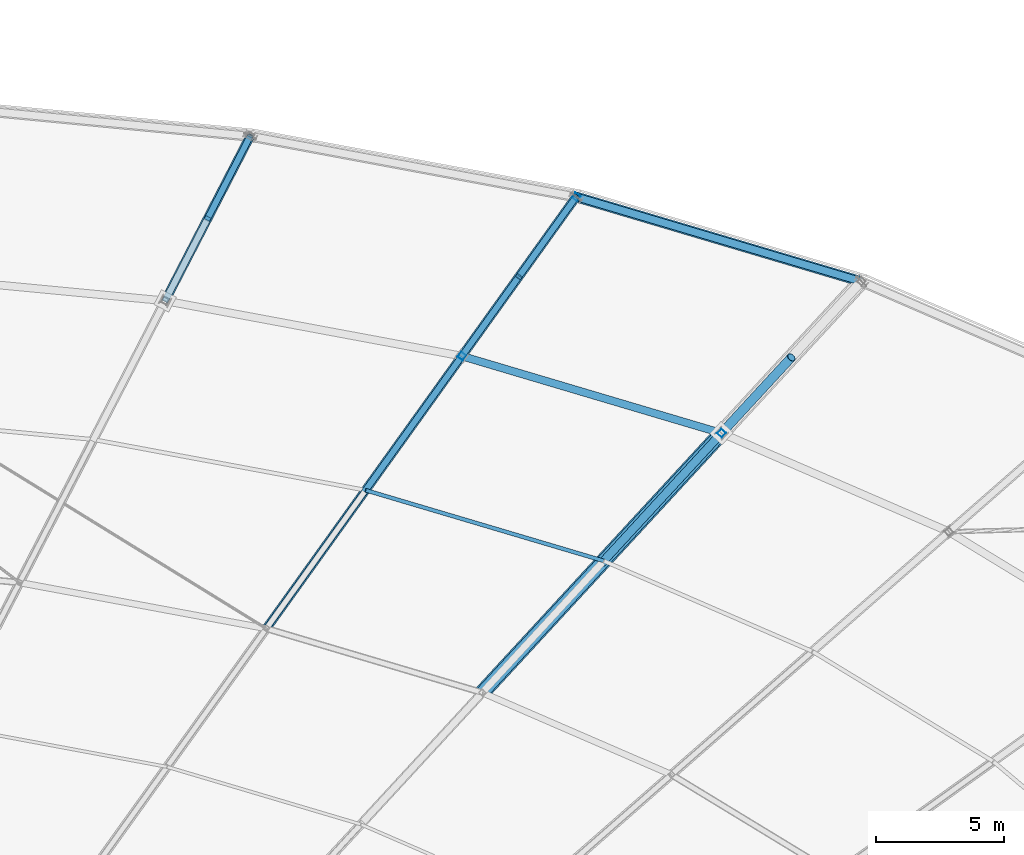
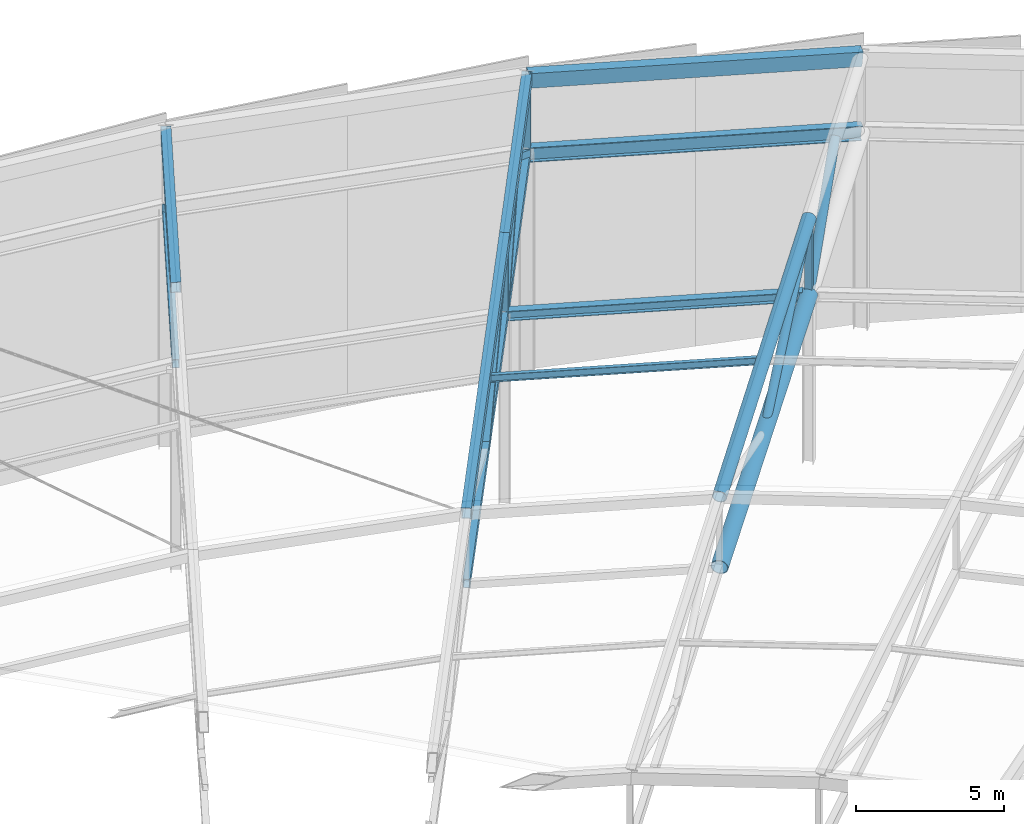
# One storey, part 101 of 143: 11 beams, 10 members.
"""IFC4 building model written with IfcOpenShell, lengths in metres."""

from ifc_helpers import new_model, si_unit, direction, frame, origin, origin_2d, place, context, subcontext, project, spatial, hollow_rectangle, hollow_circle, i_section, extrude, material, material_profile, profile_set, type_object, element, save


model = new_model("IFC4")

# Units and contexts
model_context = context("Model", 3, precision=1e-05, world=origin(), true_north=direction((0.0, 1.0)))
body_context = subcontext(model_context, "Body", "Model", "MODEL_VIEW")
ifc_project = project(units=[si_unit("LENGTHUNIT", "METRE"), si_unit("AREAUNIT", "SQUARE_METRE"), si_unit("VOLUMEUNIT", "CUBIC_METRE"), si_unit("PLANEANGLEUNIT", "RADIAN"), si_unit("MASSUNIT", "GRAM", prefix="KILO")], contexts=[model_context])

# Site, building, storey
site_placement = place(None, origin())
site = spatial("IfcSite", under=ifc_project, at=site_placement, CompositionType="ELEMENT")
building_placement = place(site_placement, origin())
building = spatial("IfcBuilding", under=site, at=building_placement, Name="Mphavela Belvedere Stadium", CompositionType="ELEMENT")
storey_placement = place(building_placement, frame((0.0, 0.0, 28.800048828125)))
storey = spatial("IfcBuildingStorey", under=building, at=storey_placement, Name="RF", CompositionType="ELEMENT", Elevation=28.800048828125)

# Beams
ifc_material_1 = material(Name="Steel S355", Category="steel")
ifc_material_profile_1 = material_profile(ifc_material_1, hollow_rectangle(XDim=0.39990234375, YDim=0.60009765625, WallThickness=0.02001953125, at=origin_2d()), Name="RHS 600x400x20")
ifc_profile_set_1 = profile_set([ifc_material_profile_1], Name="Steel S355")
beam_type_1 = type_object("IfcBeamType", Name="BM-RING-OUT", PredefinedType="BEAM", material=ifc_profile_set_1)
beam_1_placement = place(storey_placement, frame((175.9375, 153.09130859375, 11.2060546875), z_axis=(-0.95516666064, 0.283530420158, 0.085247587922), x_axis=(-0.284566298727, -0.958656362639, 0.0)))
element("IfcBeam", 1, at=beam_1_placement, inside=storey, type_object=beam_type_1, Name="Perimeter compression ring beam RB-OUT-09", PredefinedType="BEAM", context=body_context, shape_type="SweptSolid", body=[
    extrude(hollow_rectangle(XDim=0.39990234375, YDim=0.60009765625, WallThickness=0.02001953125, at=origin_2d()), origin(), (0.0, 0.0, 1.0), 11.658935546875),
])
ifc_material_2 = material(Name="Steel S355", Category="steel")
ifc_material_profile_2 = material_profile(ifc_material_2, i_section(OverallWidth=0.300048828125, OverallDepth=0.39990234375, WebThickness=0.013427734375, FlangeThickness=0.02392578125, at=origin_2d()), Name="HEB 400")
ifc_profile_set_2 = profile_set([ifc_material_profile_2], Name="Steel S355")
beam_type_2 = type_object("IfcBeamType", Name="BM-STEEL-HEB400", PredefinedType="BEAM", material=ifc_profile_set_2)
beam_2_placement = place(storey_placement, frame((170.476318359375, 147.16796875, 6.88623046875), z_axis=(-0.955164116984, 0.283533798976, 0.085264848933), x_axis=(-0.284570111731, -0.958655230784, 0.0)))
element("IfcBeam", 2, at=beam_2_placement, inside=storey, type_object=beam_type_2, Name="Roof bottom-chord tie girder R3-09", PredefinedType="BEAM", context=body_context, shape_type="SweptSolid", body=[
    extrude(i_section(OverallWidth=0.300048828125, OverallDepth=0.39990234375, WebThickness=0.013427734375, FlangeThickness=0.02392578125, at=origin_2d()), origin(), (0.0, 0.0, 1.0), 10.6142578125),
])
ifc_material_3 = material(Name="Steel S355", Category="steel")
ifc_material_profile_3 = material_profile(ifc_material_3, i_section(OverallWidth=0.300048828125, OverallDepth=0.60009765625, WebThickness=0.015380859375, FlangeThickness=0.030029296875, at=origin_2d()), Name="HEB 600")
ifc_profile_set_3 = profile_set([ifc_material_profile_3], Name="Steel S355")
beam_type_3 = type_object("IfcBeamType", Name="BM-STEEL-HEB600", PredefinedType="BEAM", material=ifc_profile_set_3)
beam_3_placement = place(storey_placement, frame((175.9375, 153.09130859375, 8.11083984375), z_axis=(-0.955164955365, 0.283529913966, 0.085268375899), x_axis=(-0.284566298727, -0.958656362639, 0.0)))
element("IfcBeam", 3, at=beam_3_placement, inside=storey, type_object=beam_type_3, Name="Roof bottom-chord tie girder R4-09", PredefinedType="BEAM", context=body_context, shape_type="SweptSolid", body=[
    extrude(i_section(OverallWidth=0.300048828125, OverallDepth=0.60009765625, WebThickness=0.015380859375, FlangeThickness=0.030029296875, at=origin_2d()), origin(), (0.0, 0.0, 1.0), 11.658935546875),
])
ifc_material_4 = material(Name="Steel S355", Category="steel")
ifc_material_profile_4 = material_profile(ifc_material_4, hollow_circle(Radius=0.304931640625, WallThickness=0.02490234375, at=origin_2d()), Name="CHS 610x25")
ifc_profile_set_4 = profile_set([ifc_material_profile_4], Name="Steel S355")
beam_type_4 = type_object("IfcBeamType", Name="BM-TRUSS-BC1", PredefinedType="BEAM", material=ifc_profile_set_4)
beam_4_placement = place(storey_placement, frame((170.476318359375, 147.16796875, 6.88623046875), z_axis=(-0.671877631162, -0.728679516352, -0.132689906146), x_axis=(0.735180274123, -0.677871643116, 0.0)))
element("IfcBeam", 4, at=beam_4_placement, inside=storey, type_object=beam_type_4, Name="Radial roof truss RT-09 bottom chord 2", PredefinedType="BEAM", context=body_context, shape_type="SweptSolid", body=[
    extrude(hollow_circle(Radius=0.304931640625, WallThickness=0.02490234375, at=origin_2d()), origin(), (0.0, 0.0, 1.0), 13.904296875),
])
ifc_material_5 = material(Name="Steel S355", Category="steel")
ifc_material_profile_5 = material_profile(ifc_material_5, hollow_rectangle(XDim=0.25, YDim=0.39990234375, WallThickness=0.01611328125, at=origin_2d()), Name="RHS 400x250x16")
ifc_profile_set_5 = profile_set([ifc_material_profile_5], Name="Steel S355")
beam_type_5 = type_object("IfcBeamType", Name="BM-TRUSS-BC2", PredefinedType="BEAM", material=ifc_profile_set_5)
beam_5_placement = place(storey_placement, frame((164.80126953125, 156.39697265625, 9.10498046875), z_axis=(-0.574643665793, -0.800735553335, -0.169136722767), x_axis=(0.812440713385, -0.583043812448, 0.0)))
element("IfcBeam", 5, at=beam_5_placement, inside=storey, type_object=beam_type_5, Name="Radial roof truss RT-10 bottom chord 1", PredefinedType="BEAM", context=body_context, shape_type="SweptSolid", body=[
    extrude(hollow_rectangle(XDim=0.25, YDim=0.39990234375, WallThickness=0.01611328125, at=origin_2d()), origin(), (0.0, 0.0, 1.0), 7.76708984375),
])
beam_6_placement = place(storey_placement, frame((160.337890625, 150.177490234375, 7.791259765625), z_axis=(-0.576374993034, -0.803150316464, -0.150802641117), x_axis=(0.812441487165, -0.583042734226, 0.0)))
element("IfcBeam", 6, at=beam_6_placement, inside=storey, type_object=beam_type_5, Name="Radial roof truss RT-10 bottom chord 2", PredefinedType="BEAM", context=body_context, shape_type="SweptSolid", body=[
    extrude(hollow_rectangle(XDim=0.25, YDim=0.39990234375, WallThickness=0.01611328125, at=origin_2d()), origin(), (0.0, 0.0, 1.0), 13.24609375),
])
beam_7_placement = place(storey_placement, frame((152.07275390625, 158.767333984375, 9.867919921875), z_axis=(-0.450806584804, -0.872694501922, -0.187557269686), x_axis=(0.888461432436, -0.458951286165, 0.0)))
element("IfcBeam", 7, at=beam_7_placement, inside=storey, type_object=beam_type_5, Name="Radial roof truss RT-11 bottom chord 1", PredefinedType="BEAM", context=body_context, shape_type="SweptSolid", body=[
    extrude(hollow_rectangle(XDim=0.25, YDim=0.39990234375, WallThickness=0.01611328125, at=origin_2d()), origin(), (0.0, 0.0, 1.0), 7.3701171875),
])
ifc_material_6 = material(Name="Steel S355", Category="steel")
ifc_material_profile_6 = material_profile(ifc_material_6, hollow_circle(Radius=0.25390625, WallThickness=0.02490234375, at=origin_2d()), Name="CHS 508x25")
ifc_profile_set_6 = profile_set([ifc_material_profile_6], Name="Steel S355")
beam_type_6 = type_object("IfcBeamType", Name="BM-TRUSS-TC1", PredefinedType="BEAM", material=ifc_profile_set_6)
beam_8_placement = place(storey_placement, frame((170.476318359375, 147.16796875, 10.0361328125), z_axis=(-0.670172604534, -0.726830343347, -0.150287498223), x_axis=(0.735180274123, -0.677871643116, 0.0)))
element("IfcBeam", 8, at=beam_8_placement, inside=storey, type_object=beam_type_6, Name="Radial roof truss RT-09 top chord 2", PredefinedType="BEAM", context=body_context, shape_type="SweptSolid", body=[
    extrude(hollow_circle(Radius=0.25390625, WallThickness=0.02490234375, at=origin_2d()), origin(), (0.0, 0.0, 1.0), 13.939697265625),
])
ifc_material_7 = material(Name="Steel S355", Category="steel")
ifc_material_profile_7 = material_profile(ifc_material_7, hollow_rectangle(XDim=0.35009765625, YDim=0.5, WallThickness=0.02001953125, at=origin_2d()), Name="RHS 500x350x20")
ifc_profile_set_7 = profile_set([ifc_material_profile_7], Name="Steel S355")
beam_type_7 = type_object("IfcBeamType", Name="BM-TRUSS-TC2", PredefinedType="BEAM", material=ifc_profile_set_7)
beam_9_placement = place(storey_placement, frame((164.80126953125, 156.39697265625, 12.255126953125), z_axis=(-0.574640610532, -0.800731295991, -0.169167255545), x_axis=(0.812440713385, -0.583043812448, 0.0)))
element("IfcBeam", 9, at=beam_9_placement, inside=storey, type_object=beam_type_7, Name="Radial roof truss RT-10 top chord 1", PredefinedType="BEAM", context=body_context, shape_type="SweptSolid", body=[
    extrude(hollow_rectangle(XDim=0.35009765625, YDim=0.5, WallThickness=0.02001953125, at=origin_2d()), origin(), (0.0, 0.0, 1.0), 7.767333984375),
])
beam_10_placement = place(storey_placement, frame((160.337890625, 150.177490234375, 10.941162109375), z_axis=(-0.574641541485, -0.800734836651, -0.169147332738), x_axis=(0.812441487165, -0.583042734226, 0.0)))
element("IfcBeam", 10, at=beam_10_placement, inside=storey, type_object=beam_type_7, Name="Radial roof truss RT-10 top chord 2", PredefinedType="BEAM", context=body_context, shape_type="SweptSolid", body=[
    extrude(hollow_rectangle(XDim=0.35009765625, YDim=0.5, WallThickness=0.02001953125, at=origin_2d()), origin(), (0.0, 0.0, 1.0), 13.2861328125),
])
beam_11_placement = place(storey_placement, frame((152.07275390625, 158.767333984375, 13.017822265625), z_axis=(-0.450809385422, -0.872699923502, -0.187525309051), x_axis=(0.888461432436, -0.458951286165, 0.0)))
element("IfcBeam", 11, at=beam_11_placement, inside=storey, type_object=beam_type_7, Name="Radial roof truss RT-11 top chord 1", PredefinedType="BEAM", context=body_context, shape_type="SweptSolid", body=[
    extrude(hollow_rectangle(XDim=0.35009765625, YDim=0.5, WallThickness=0.02001953125, at=origin_2d()), origin(), (0.0, 0.0, 1.0), 7.3701171875),
])

# Members
ifc_material_8 = material(Name="Steel S355", Category="steel")
ifc_material_profile_8 = material_profile(ifc_material_8, hollow_circle(Radius=0.161865234375, WallThickness=0.01611328125, at=origin_2d()), Name="CHS 323.9x16")
ifc_profile_set_8 = profile_set([ifc_material_profile_8], Name="Steel S355")
member_type_1 = type_object("IfcMemberType", Name="MEM-DIAG-324", PredefinedType="BRACE", material=ifc_profile_set_8)
member_1_placement = place(storey_placement, frame((170.476318359375, 147.16796875, 10.0361328125), z_axis=(-0.583560787104, -0.632912729061, -0.508800830529), x_axis=(0.735189102669, -0.677862068061, 0.0)))
element("IfcMember", 12, at=member_1_placement, inside=storey, type_object=member_type_1, Name="Radial roof truss RT-09 web diagonal D3", PredefinedType="BRACE", context=body_context, shape_type="SweptSolid", body=[
    extrude(hollow_circle(Radius=0.161865234375, WallThickness=0.01611328125, at=origin_2d()), origin(), (0.0, 0.0, 1.0), 8.004150390625),
])
ifc_material_9 = material(Name="Steel S355", Category="steel")
ifc_material_profile_9 = material_profile(ifc_material_9, hollow_circle(Radius=0.177734375, WallThickness=0.01611328125, at=origin_2d()), Name="CHS 355.6x16")
ifc_profile_set_9 = profile_set([ifc_material_profile_9], Name="Steel S355")
member_type_2 = type_object("IfcMemberType", Name="MEM-DIAG-355", PredefinedType="BRACE", material=ifc_profile_set_9)
member_2_placement = place(storey_placement, frame((173.206787109375, 150.129638671875, 10.6484375), z_axis=(-0.495376163625, -0.537321909954, -0.682559610287), x_axis=(0.735221550202, -0.677826874739, 0.0)))
element("IfcMember", 13, at=member_2_placement, inside=storey, type_object=member_type_2, Name="Radial roof truss RT-09 web diagonal D2", PredefinedType="BRACE", context=body_context, shape_type="SweptSolid", body=[
    extrude(hollow_circle(Radius=0.177734375, WallThickness=0.01611328125, at=origin_2d()), origin(), (0.0, 0.0, 1.0), 5.511962890625),
])
ifc_material_10 = material(Name="Steel S355", Category="steel")
ifc_material_profile_10 = material_profile(ifc_material_10, hollow_rectangle(XDim=0.25, YDim=0.25, WallThickness=0.012451171875, at=origin_2d()), Name="SHS 250x250x12.5")
ifc_profile_set_10 = profile_set([ifc_material_profile_10], Name="Steel S355")
member_type_3 = type_object("IfcMemberType", Name="MEM-POST-SHS250", PredefinedType="POST", material=ifc_profile_set_10)
member_3_placement = place(storey_placement, frame((170.476318359375, 147.16796875, 6.88623046875), z_axis=(0.0, 0.0, 1.0), x_axis=(0.677903094969, 0.735151272753, 0.0)))
element("IfcMember", 14, at=member_3_placement, inside=storey, type_object=member_type_3, Name="Radial roof truss RT-09 post P2", PredefinedType="POST", context=body_context, shape_type="SweptSolid", body=[
    extrude(hollow_rectangle(XDim=0.25, YDim=0.25, WallThickness=0.012451171875, at=origin_2d()), origin(), (0.0, 0.0, 1.0), 3.14990234375),
])
member_4_placement = place(storey_placement, frame((164.80126953125, 156.39697265625, 9.10498046875), z_axis=(0.0, 0.0, 1.0), x_axis=(0.582974127943, 0.812490717577, 0.0)))
element("IfcMember", 15, at=member_4_placement, inside=storey, type_object=member_type_3, Name="Radial roof truss RT-10 post P1", PredefinedType="POST", context=body_context, shape_type="SweptSolid", body=[
    extrude(hollow_rectangle(XDim=0.25, YDim=0.25, WallThickness=0.012451171875, at=origin_2d()), origin(), (0.0, 0.0, 1.0), 3.150146484375),
])
member_5_placement = place(storey_placement, frame((160.337890625, 150.177490234375, 7.791259765625), z_axis=(0.0, 0.0, 1.0), x_axis=(0.582974127943, 0.812490717577, 0.0)))
element("IfcMember", 16, at=member_5_placement, inside=storey, type_object=member_type_3, Name="Radial roof truss RT-10 post P2", PredefinedType="POST", context=body_context, shape_type="SweptSolid", body=[
    extrude(hollow_rectangle(XDim=0.25, YDim=0.25, WallThickness=0.012451171875, at=origin_2d()), origin(), (0.0, 0.0, 1.0), 3.14990234375),
])
member_6_placement = place(storey_placement, frame((164.80126953125, 156.39697265625, 9.10498046875), z_axis=(-0.488537586903, -0.680778009186, 0.545776811886), x_axis=(0.812451554227, -0.583028706012, 0.0)))
element("IfcMember", 17, at=member_6_placement, inside=storey, type_object=member_type_3, Name="Radial roof truss RT-10 web diagonal D1", PredefinedType="POST", context=body_context, shape_type="SweptSolid", body=[
    extrude(hollow_rectangle(XDim=0.25, YDim=0.25, WallThickness=0.012451171875, at=origin_2d()), origin(), (0.0, 0.0, 1.0), 4.568115234375),
])
member_7_placement = place(storey_placement, frame((162.569580078125, 153.287109375, 11.59814453125), z_axis=(-0.413399603388, -0.576027868762, -0.705189805888), x_axis=(0.812429871701, -0.583058919465, 0.0)))
element("IfcMember", 18, at=member_7_placement, inside=storey, type_object=member_type_3, Name="Radial roof truss RT-10 web diagonal D2", PredefinedType="POST", context=body_context, shape_type="SweptSolid", body=[
    extrude(hollow_rectangle(XDim=0.25, YDim=0.25, WallThickness=0.012451171875, at=origin_2d()), origin(), (0.0, 0.0, 1.0), 5.3984375),
])
member_8_placement = place(storey_placement, frame((160.337890625, 150.177490234375, 10.941162109375), z_axis=(-0.49248598219, -0.686286586463, -0.535227314873), x_axis=(0.812454162392, -0.583025071512, 0.0)))
element("IfcMember", 19, at=member_8_placement, inside=storey, type_object=member_type_3, Name="Radial roof truss RT-10 web diagonal D3", PredefinedType="POST", context=body_context, shape_type="SweptSolid", body=[
    extrude(hollow_rectangle(XDim=0.25, YDim=0.25, WallThickness=0.012451171875, at=origin_2d()), origin(), (0.0, 0.0, 1.0), 7.751220703125),
])
member_9_placement = place(storey_placement, frame((152.07275390625, 158.767333984375, 9.867919921875), z_axis=(-0.379631562425, -0.734936352185, 0.561914971368), x_axis=(0.888468080483, -0.458938416308, 0.0)))
element("IfcMember", 20, at=member_9_placement, inside=storey, type_object=member_type_3, Name="Radial roof truss RT-11 web diagonal D1", PredefinedType="POST", context=body_context, shape_type="SweptSolid", body=[
    extrude(hollow_rectangle(XDim=0.25, YDim=0.25, WallThickness=0.012451171875, at=origin_2d()), origin(), (0.0, 0.0, 1.0), 4.375732421875),
])
ifc_material_11 = material(Name="Steel S355", Category="steel")
ifc_material_profile_11 = material_profile(ifc_material_11, i_section(OverallWidth=0.14990234375, OverallDepth=0.300048828125, WebThickness=0.007080078125, FlangeThickness=0.0107421875, at=origin_2d()), Name="IPE 300")
ifc_profile_set_11 = profile_set([ifc_material_profile_11], Name="Steel S355")
member_type_4 = type_object("IfcMemberType", Name="MEM-PURLIN-IPE300", PredefinedType="PURLIN", material=ifc_profile_set_11)
member_10_placement = place(storey_placement, frame((165.877197265625, 142.179931640625, 8.814697265625), z_axis=(-0.955163200826, 0.283534292231, 0.085273471348), x_axis=(-0.284570817546, -0.958655021267, 0.0)))
element("IfcMember", 21, at=member_10_placement, inside=storey, type_object=member_type_4, Name="Saddle canopy steel purlin 09-2", PredefinedType="PURLIN", context=body_context, shape_type="SweptSolid", body=[
    extrude(i_section(OverallWidth=0.14990234375, OverallDepth=0.300048828125, WebThickness=0.007080078125, FlangeThickness=0.0107421875, at=origin_2d()), origin(), (0.0, 0.0, 1.0), 9.734375),
])

save(model, "model.ifc")
